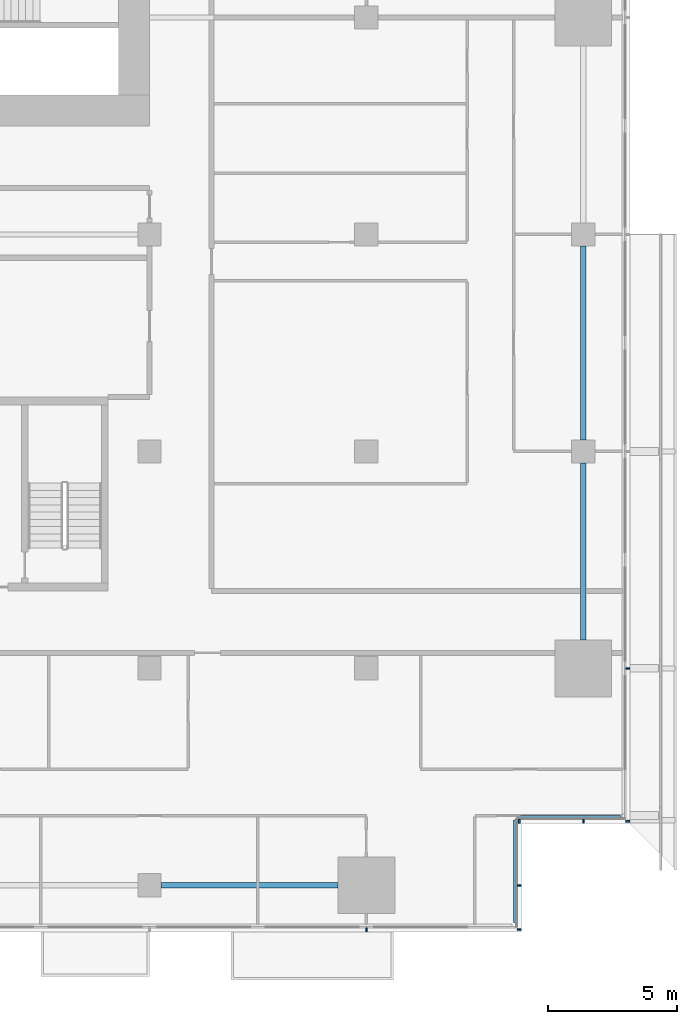
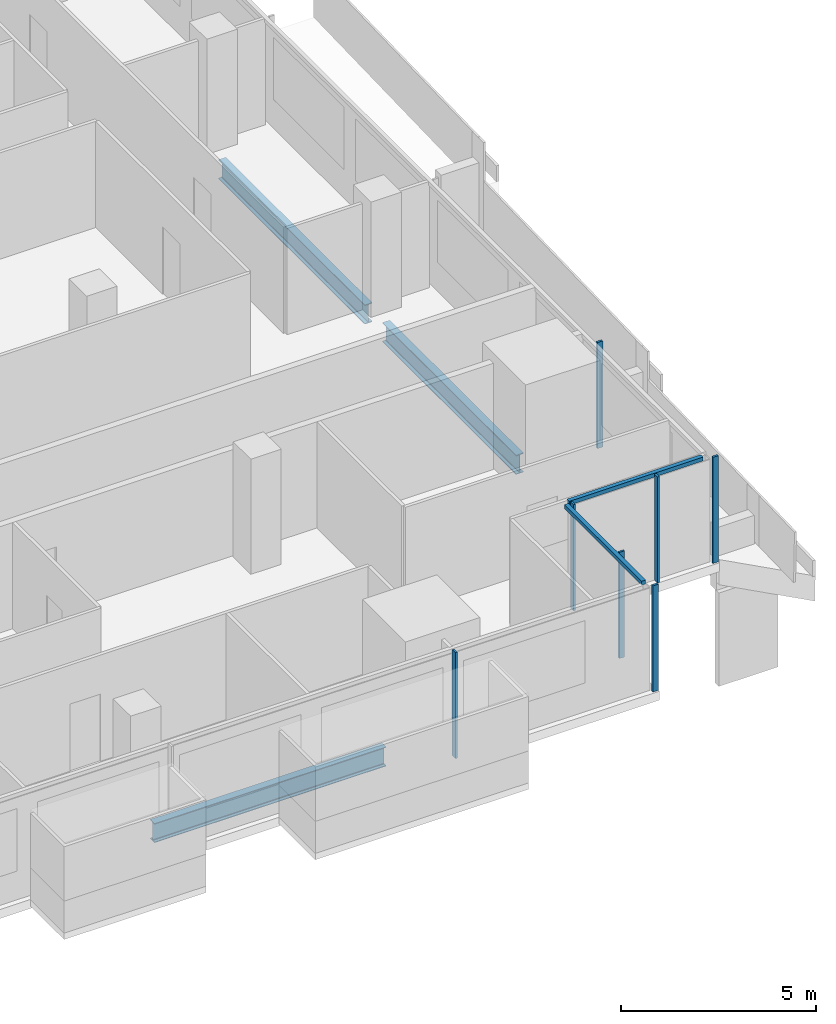
# One storey, part 11 of 28: 9 members, 3 beams, 4 elements without a shape of their own.
"""IFC4 building model written with IfcOpenShell, lengths in metres."""

from ifc_helpers import new_model, si_unit, direction, frame, origin, origin_2d, place, context, subcontext, project, spatial, rectangle, i_section, extrude, material, material_profile, profile_set, type_object, element, aggregate, save


model = new_model("IFC4")

# Units and contexts
model_context = context("Model", 3, precision=1e-05, world=origin(), true_north=direction((0.0, 1.0)))
body_context = subcontext(model_context, "Body", "Model", "MODEL_VIEW")
ifc_project = project(units=[si_unit("LENGTHUNIT", "METRE"), si_unit("AREAUNIT", "SQUARE_METRE"), si_unit("VOLUMEUNIT", "CUBIC_METRE"), si_unit("PLANEANGLEUNIT", "RADIAN"), si_unit("MASSUNIT", "GRAM", prefix="KILO")], contexts=[model_context])

# Site, building, storey
site_placement = place(None, origin())
site = spatial("IfcSite", under=ifc_project, at=site_placement, CompositionType="ELEMENT")
building_placement = place(site_placement, origin())
building = spatial("IfcBuilding", under=site, at=building_placement, Name="Saffron Gate Tower", CompositionType="ELEMENT")
storey_placement = place(building_placement, frame((0.0, 0.0, 51.60009765625)))
storey = spatial("IfcBuildingStorey", under=building, at=storey_placement, Name="L11", CompositionType="ELEMENT", Elevation=51.60009765625)

# Beams
ifc_material_1 = material(Name="Structural steel S355", Category="steel")
ifc_material_profile_1 = material_profile(ifc_material_1, i_section(OverallWidth=0.219970703125, OverallDepth=0.60009765625, WebThickness=0.011962890625, FlangeThickness=0.01904296875, FilletRadius=0.02392578125, at=origin_2d()))
ifc_profile_set_1 = profile_set([ifc_material_profile_1], Name="Structural steel S355")
beam_type = type_object("IfcBeamType", Name="B16 IPE 600", PredefinedType="SPANDREL", material=ifc_profile_set_1)
for number, where, z_axis, x_axis, name in (
    (1, (109.050048828125, 31.800048828125, -0.580078125), (1.0, 0.0, 0.0), (0.0, 1.0, 0.0), "B16 SPANDREL BEAM"),
    (2, (125.39990234375, 41.300048828125, -0.580078125), (0.0, 1.0, 0.0), (-1.0, 0.0, 0.0), "B16 SPANDREL BEAM"),
):
    element("IfcBeam", number, at=place(storey_placement, frame(where, z_axis=z_axis, x_axis=x_axis)), inside=storey, type_object=beam_type, Name=name, PredefinedType="SPANDREL", context=body_context, shape_type="SweptSolid", body=[
        extrude(i_section(OverallWidth=0.219970703125, OverallDepth=0.60009765625, WebThickness=0.011962890625, FlangeThickness=0.01904296875, FilletRadius=0.02392578125, at=origin_2d()), origin(), (0.0, 0.0, 1.0), 6.849853515625),
    ])
beam_placement = place(storey_placement, frame((125.39990234375, 49.050048828125, -0.580078125), z_axis=(0.0, 1.0, 0.0), x_axis=(-1.0, 0.0, 0.0)))
element("IfcBeam", 3, at=beam_placement, inside=storey, type_object=beam_type, Name="B16 SPANDREL BEAM", PredefinedType="SPANDREL", context=body_context, shape_type="SweptSolid", body=[
    extrude(i_section(OverallWidth=0.219970703125, OverallDepth=0.60009765625, WebThickness=0.011962890625, FlangeThickness=0.01904296875, FilletRadius=0.02392578125, at=origin_2d()), origin(), (0.0, 0.0, 1.0), 7.5),
])

# Curtain wall, member
ifc_material_2 = material(Name="Aluminium, bronze anodised", Category="aluminium")
curtain_wall_type_1 = type_object("IfcCurtainWallType", Name="CWS1 curtain wall front facade", PredefinedType="NOTDEFINED", material=ifc_material_2)
curtain_wall_1_placement = place(storey_placement, origin())
curtain_wall_1 = element("IfcCurtainWall", 4, at=curtain_wall_1_placement, inside=storey, type_object=curtain_wall_type_1, Name="CWS1 run 1", PredefinedType="NOTDEFINED")
ifc_material_profile_2 = material_profile(ifc_material_2, rectangle(XDim=0.159912109375, YDim=0.06005859375, at=origin_2d()))
ifc_profile_set_2 = profile_set([ifc_material_profile_2], Name="Aluminium, bronze anodised")
member_type_1 = type_object("IfcMemberType", Name="CWS1 mullion 60x160", PredefinedType="MULLION", material=ifc_profile_set_2)
member_1_placement = place(storey_placement, frame((117.0, 30.080078125, 0.0), z_axis=(0.0, 0.0, 1.0), x_axis=(0.0, 1.0, 0.0)))
member_1 = element("IfcMember", 5, at=member_1_placement, type_object=member_type_1, Name="CWS1 mullion 9", PredefinedType="MULLION", context=body_context, shape_type="SweptSolid", body=[
    extrude(rectangle(XDim=0.159912109375, YDim=0.06005859375, at=origin_2d()), origin(), (0.0, 0.0, 1.0), 3.31982421875),
])
aggregate(curtain_wall_1, [member_1])

# Curtain wall, members
curtain_wall_type_2 = type_object("IfcCurtainWallType", Name="CWS2 curtain wall side facades", PredefinedType="NOTDEFINED", material=ifc_material_2)
curtain_wall_2_placement = place(storey_placement, origin())
curtain_wall_2 = element("IfcCurtainWall", 6, at=curtain_wall_2_placement, inside=storey, type_object=curtain_wall_type_2, Name="CWS2 run 4", PredefinedType="NOTDEFINED")
ifc_material_profile_3 = material_profile(ifc_material_2, rectangle(XDim=0.159912109375, YDim=0.06005859375, at=origin_2d()))
ifc_profile_set_3 = profile_set([ifc_material_profile_3], Name="Aluminium, bronze anodised")
member_type_2 = type_object("IfcMemberType", Name="CWS2 mullion 60x160", PredefinedType="MULLION", material=ifc_profile_set_3)
member_2_placement = place(storey_placement, frame((127.1201171875, 34.280029296875, 0.0), z_axis=(0.0, 0.0, 1.0), x_axis=(-1.0, 0.0, 0.0)))
member_2 = element("IfcMember", 7, at=member_2_placement, type_object=member_type_2, Name="CWS2 mullion 1", PredefinedType="MULLION", context=body_context, shape_type="SweptSolid", body=[
    extrude(rectangle(XDim=0.159912109375, YDim=0.06005859375, at=origin_2d()), origin(), (0.0, 0.0, 1.0), 3.31982421875),
])
member_3_placement = place(storey_placement, frame((127.1201171875, 40.199951171875, 0.0), z_axis=(0.0, 0.0, 1.0), x_axis=(-1.0, 0.0, 0.0)))
member_3 = element("IfcMember", 8, at=member_3_placement, type_object=member_type_2, Name="CWS2 mullion 2", PredefinedType="MULLION", context=body_context, shape_type="SweptSolid", body=[
    extrude(rectangle(XDim=0.159912109375, YDim=0.06005859375, at=origin_2d()), origin(), (0.0, 0.0, 1.0), 3.31982421875),
])
aggregate(curtain_wall_2, [member_2, member_3])

# Curtain wall, member
curtain_wall_type_3 = type_object("IfcCurtainWallType", Name="CWS4 curtain wall corner returns", PredefinedType="NOTDEFINED", material=ifc_material_2)
curtain_wall_3_placement = place(storey_placement, origin())
curtain_wall_3 = element("IfcCurtainWall", 9, at=curtain_wall_3_placement, inside=storey, type_object=curtain_wall_type_3, Name="CWS4 run 2", PredefinedType="NOTDEFINED")
ifc_material_profile_4 = material_profile(ifc_material_2, rectangle(XDim=0.1201171875, YDim=0.1201171875, at=origin_2d()))
ifc_profile_set_4 = profile_set([ifc_material_profile_4], Name="Aluminium, bronze anodised")
member_type_3 = type_object("IfcMemberType", Name="CWS4 head transom", PredefinedType="USERDEFINED", material=ifc_profile_set_4)
member_4_placement = place(storey_placement, frame((122.751953125, 30.367919921875, 3.260009765625), z_axis=(0.0, 1.0, 0.0), x_axis=(-1.0, 0.0, 0.0)))
member_4 = element("IfcMember", 10, at=member_4_placement, type_object=member_type_3, Name="CWS4 head transom", ObjectType="TRANSOM", PredefinedType="USERDEFINED", context=body_context, shape_type="SweptSolid", body=[
    extrude(rectangle(XDim=0.1201171875, YDim=0.1201171875, at=origin_2d()), origin(), (0.0, 0.0, 1.0), 3.9599609375),
])

curtain_wall_4_placement = place(storey_placement, origin())
curtain_wall_4 = element("IfcCurtainWall", 11, at=curtain_wall_4_placement, inside=storey, type_object=curtain_wall_type_3, Name="CWS4 run 3", PredefinedType="NOTDEFINED")
member_5_placement = place(storey_placement, frame((122.8720703125, 34.447998046875, 3.260009765625), z_axis=(1.0, 0.0, 0.0), x_axis=(0.0, 1.0, 0.0)))
member_5 = element("IfcMember", 12, at=member_5_placement, type_object=member_type_3, Name="CWS4 head transom", ObjectType="TRANSOM", PredefinedType="USERDEFINED", context=body_context, shape_type="SweptSolid", body=[
    extrude(rectangle(XDim=0.1201171875, YDim=0.1201171875, at=origin_2d()), origin(), (0.0, 0.0, 1.0), 3.9599609375),
])

# Member
ifc_material_profile_5 = material_profile(ifc_material_2, rectangle(XDim=0.159912109375, YDim=0.06005859375, at=origin_2d()))
ifc_profile_set_5 = profile_set([ifc_material_profile_5], Name="Aluminium, bronze anodised")
member_type_4 = type_object("IfcMemberType", Name="CWS4 mullion 60x160", PredefinedType="MULLION", material=ifc_profile_set_5)
member_6_placement = place(storey_placement, frame((122.919921875, 30.080078125, 0.0), z_axis=(0.0, 0.0, 1.0), x_axis=(-1.0, 0.0, 0.0)))
member_6 = element("IfcMember", 13, at=member_6_placement, type_object=member_type_4, Name="CWS4 mullion 1", PredefinedType="MULLION", context=body_context, shape_type="SweptSolid", body=[
    extrude(rectangle(XDim=0.159912109375, YDim=0.06005859375, at=origin_2d()), origin(), (0.0, 0.0, 1.0), 3.31982421875),
])

member_7_placement = place(storey_placement, frame((122.919921875, 31.800048828125, 0.0), z_axis=(0.0, 0.0, 1.0), x_axis=(-1.0, 0.0, 0.0)))
member_7 = element("IfcMember", 14, at=member_7_placement, type_object=member_type_4, Name="CWS4 mullion 2", PredefinedType="MULLION", context=body_context, shape_type="SweptSolid", body=[
    extrude(rectangle(XDim=0.159912109375, YDim=0.06005859375, at=origin_2d()), origin(), (0.0, 0.0, 1.0), 3.31982421875),
])

aggregate(curtain_wall_3, [member_6, member_7, member_4])

member_8_placement = place(storey_placement, frame((122.919921875, 34.280029296875, 0.0), z_axis=(0.0, 0.0, 1.0), x_axis=(0.0, 1.0, 0.0)))
member_8 = element("IfcMember", 15, at=member_8_placement, type_object=member_type_4, Name="CWS4 mullion 1", PredefinedType="MULLION", context=body_context, shape_type="SweptSolid", body=[
    extrude(rectangle(XDim=0.159912109375, YDim=0.06005859375, at=origin_2d()), origin(), (0.0, 0.0, 1.0), 3.31982421875),
])

member_9_placement = place(storey_placement, frame((125.39990234375, 34.280029296875, 0.0), z_axis=(0.0, 0.0, 1.0), x_axis=(0.0, 1.0, 0.0)))
member_9 = element("IfcMember", 16, at=member_9_placement, type_object=member_type_4, Name="CWS4 mullion 2", PredefinedType="MULLION", context=body_context, shape_type="SweptSolid", body=[
    extrude(rectangle(XDim=0.159912109375, YDim=0.06005859375, at=origin_2d()), origin(), (0.0, 0.0, 1.0), 3.31982421875),
])

aggregate(curtain_wall_4, [member_8, member_9, member_5])

save(model, "model.ifc")
